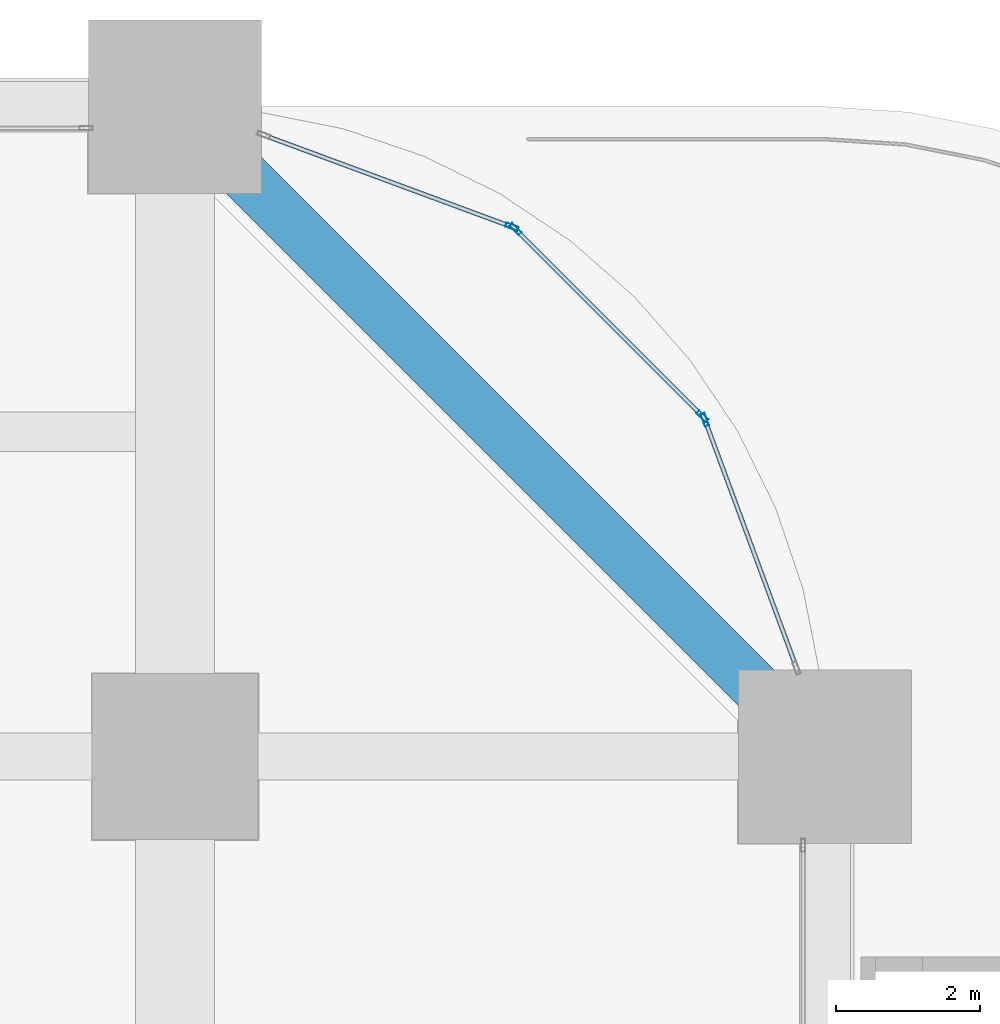
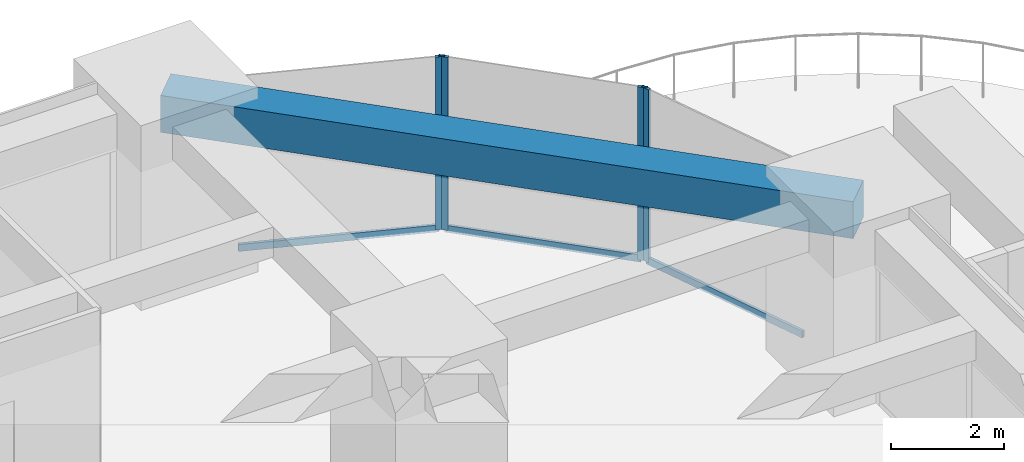
# One storey, part 29 of 38: 7 members, 1 beam, 3 elements without a shape of their own.
"""IFC4 building model written with IfcOpenShell, lengths in metres."""

from ifc_helpers import new_model, si_unit, direction, frame, origin, origin_2d, place, context, subcontext, project, spatial, rectangle, hollow_rectangle, extrude, material, material_profile, profile_set, type_object, element, aggregate, save


model = new_model("IFC4")

# Units and contexts
model_context = context("Model", 3, precision=1e-05, world=origin(), true_north=direction((0.0, 1.0)))
body_context = subcontext(model_context, "Body", "Model", "MODEL_VIEW")
ifc_project = project(units=[si_unit("LENGTHUNIT", "METRE"), si_unit("AREAUNIT", "SQUARE_METRE"), si_unit("VOLUMEUNIT", "CUBIC_METRE"), si_unit("PLANEANGLEUNIT", "RADIAN"), si_unit("MASSUNIT", "GRAM", prefix="KILO")], contexts=[model_context])

# Site, building, storey
site_placement = place(None, origin())
site = spatial("IfcSite", under=ifc_project, at=site_placement, CompositionType="ELEMENT")
building_placement = place(site_placement, origin())
building = spatial("IfcBuilding", under=site, at=building_placement, Name="Zorevar Civic Tower", CompositionType="ELEMENT")
storey_placement = place(building_placement, frame((0.0, 0.0, 15.800048828125)))
storey = spatial("IfcBuildingStorey", under=building, at=storey_placement, Name="L03", CompositionType="ELEMENT", Elevation=15.800048828125)

# Curtain wall, member
ifc_material_1 = material(Name="Dark grey solar-control glass in black aluminium frame", Category="aluminium")
curtain_wall_type = type_object("IfcCurtainWallType", Name="Curtain wall CW2 low zone", PredefinedType="NOTDEFINED", material=ifc_material_1)
curtain_wall_1_placement = place(storey_placement, origin())
curtain_wall_1 = element("IfcCurtainWall", 1, at=curtain_wall_1_placement, inside=storey, type_object=curtain_wall_type, Name="CW2 L03", PredefinedType="NOTDEFINED")
ifc_material_2 = material(Name="Aluminium, black anodised", Category="aluminium")
ifc_material_profile_1 = material_profile(ifc_material_2, hollow_rectangle(XDim=0.06005859375, YDim=0.179931640625, WallThickness=0.00390625, at=origin_2d()), Name="AL 180x60x4")
ifc_profile_set_1 = profile_set([ifc_material_profile_1], Name="Aluminium, black anodised")
member_type_1 = type_object("IfcMemberType", Name="CW2 mullion AL 180x60x4", PredefinedType="MULLION", material=ifc_profile_set_1)
member_1_placement = place(storey_placement, frame((61.336181640625, 49.66455078125, 0.0), z_axis=(0.0, 0.0, 1.0), x_axis=(-0.937974588163, -0.346704012033, 0.0)))
member_1 = element("IfcMember", 2, at=member_1_placement, type_object=member_type_1, Name="CW2 mullion 2", PredefinedType="MULLION", context=body_context, shape_type="SweptSolid", body=[
    extrude(hollow_rectangle(XDim=0.06005859375, YDim=0.179931640625, WallThickness=0.00390625, at=origin_2d()), origin(), (0.0, 0.0, 1.0), 3.75),
])

# Curtain wall, members
curtain_wall_2_placement = place(storey_placement, origin())
curtain_wall_2 = element("IfcCurtainWall", 3, at=curtain_wall_2_placement, inside=storey, type_object=curtain_wall_type, Name="CW2 L03", PredefinedType="NOTDEFINED")
member_2_placement = place(storey_placement, frame((61.3046875, 49.7138671875, 0.0), z_axis=(0.0, 0.0, 1.0), x_axis=(-0.707106781187, -0.707106781187, 0.0)))
member_2 = element("IfcMember", 4, at=member_2_placement, type_object=member_type_1, Name="CW2 mullion 1", PredefinedType="MULLION", context=body_context, shape_type="SweptSolid", body=[
    extrude(hollow_rectangle(XDim=0.06005859375, YDim=0.179931640625, WallThickness=0.00390625, at=origin_2d()), origin(), (0.0, 0.0, 1.0), 3.75),
])
member_3_placement = place(storey_placement, frame((58.7138671875, 52.3046875, 0.0), z_axis=(0.0, 0.0, 1.0), x_axis=(-0.707106781187, -0.707106781187, 0.0)))
member_3 = element("IfcMember", 5, at=member_3_placement, type_object=member_type_1, Name="CW2 mullion 2", PredefinedType="MULLION", context=body_context, shape_type="SweptSolid", body=[
    extrude(hollow_rectangle(XDim=0.06005859375, YDim=0.179931640625, WallThickness=0.00390625, at=origin_2d()), origin(), (0.0, 0.0, 1.0), 3.75),
])

# Curtain wall, member
curtain_wall_3_placement = place(storey_placement, origin())
curtain_wall_3 = element("IfcCurtainWall", 6, at=curtain_wall_3_placement, inside=storey, type_object=curtain_wall_type, Name="CW2 L03", PredefinedType="NOTDEFINED")
member_4_placement = place(storey_placement, frame((58.66455078125, 52.336181640625, 0.0), z_axis=(0.0, 0.0, 1.0), x_axis=(-0.346704012033, -0.937974588163, 0.0)))
member_4 = element("IfcMember", 7, at=member_4_placement, type_object=member_type_1, Name="CW2 mullion 1", PredefinedType="MULLION", context=body_context, shape_type="SweptSolid", body=[
    extrude(hollow_rectangle(XDim=0.06005859375, YDim=0.179931640625, WallThickness=0.00390625, at=origin_2d()), origin(), (0.0, 0.0, 1.0), 3.75),
])

# Member
ifc_material_3 = material(Name="Aluminium, black anodised", Category="aluminium")
ifc_material_profile_2 = material_profile(ifc_material_3, hollow_rectangle(XDim=0.06005859375, YDim=0.14990234375, WallThickness=0.00390625, at=origin_2d()), Name="AL 150x60x4")
ifc_profile_set_2 = profile_set([ifc_material_profile_2], Name="Aluminium, black anodised")
member_type_2 = type_object("IfcMemberType", Name="CW2 transom AL 150x60x4", PredefinedType="USERDEFINED", material=ifc_profile_set_2)
member_5_placement = place(storey_placement, frame((62.595947265625, 46.25634765625, 0.030029296875), z_axis=(-0.346672169799, 0.93798635741, 0.0), x_axis=(-0.93798635741, -0.346672169799, 0.0)))
member_5 = element("IfcMember", 8, at=member_5_placement, type_object=member_type_2, Name="CW2 sill transom", ObjectType="TRANSOM", PredefinedType="USERDEFINED", context=body_context, shape_type="SweptSolid", body=[
    extrude(hollow_rectangle(XDim=0.06005859375, YDim=0.14990234375, WallThickness=0.00390625, at=origin_2d()), origin(), (0.0, 0.0, 1.0), 3.603515625),
])

aggregate(curtain_wall_1, [member_1, member_5])

member_6_placement = place(storey_placement, frame((61.283447265625, 49.735107421875, 0.030029296875), z_axis=(-0.707106781187, 0.707106781187, 0.0), x_axis=(-0.707106781187, -0.707106781187, 0.0)))
member_6 = element("IfcMember", 9, at=member_6_placement, type_object=member_type_2, Name="CW2 sill transom", ObjectType="TRANSOM", PredefinedType="USERDEFINED", context=body_context, shape_type="SweptSolid", body=[
    extrude(hollow_rectangle(XDim=0.06005859375, YDim=0.14990234375, WallThickness=0.00390625, at=origin_2d()), origin(), (0.0, 0.0, 1.0), 3.60400390625),
])

aggregate(curtain_wall_2, [member_2, member_3, member_6])

member_7_placement = place(storey_placement, frame((58.636474609375, 52.3466796875, 0.030029296875), z_axis=(-0.93798635741, 0.346672169799, 0.0), x_axis=(-0.346672169799, -0.93798635741, 0.0)))
member_7 = element("IfcMember", 10, at=member_7_placement, type_object=member_type_2, Name="CW2 sill transom", ObjectType="TRANSOM", PredefinedType="USERDEFINED", context=body_context, shape_type="SweptSolid", body=[
    extrude(hollow_rectangle(XDim=0.06005859375, YDim=0.14990234375, WallThickness=0.00390625, at=origin_2d()), origin(), (0.0, 0.0, 1.0), 3.603515625),
])

aggregate(curtain_wall_3, [member_4, member_7])

# Beam
ifc_material_4 = material(Name="Concrete C50/60", Category="concrete")
ifc_material_profile_3 = material_profile(ifc_material_4, rectangle(XDim=0.699951171875, YDim=0.800048828125, at=origin_2d()), Name="RC 700x800")
ifc_profile_set_3 = profile_set([ifc_material_profile_3], Name="Concrete C50/60")
beam_type = type_object("IfcBeamType", Name="Edge beam RC 700x800", PredefinedType="SPANDREL", material=ifc_profile_set_3)
beam_placement = place(storey_placement, frame((63.0, 45.0, 3.349853515625), z_axis=(-0.707106781187, 0.707106781187, 0.0), x_axis=(-0.707106781187, -0.707106781187, 0.0)))
element("IfcBeam", 11, at=beam_placement, inside=storey, type_object=beam_type, Name="Corner edge beam L04", PredefinedType="SPANDREL", context=body_context, shape_type="SweptSolid", body=[
    extrude(rectangle(XDim=0.699951171875, YDim=0.800048828125, at=origin_2d()), origin(), (0.0, 0.0, 1.0), 12.72802734375),
])

save(model, "model.ifc")
